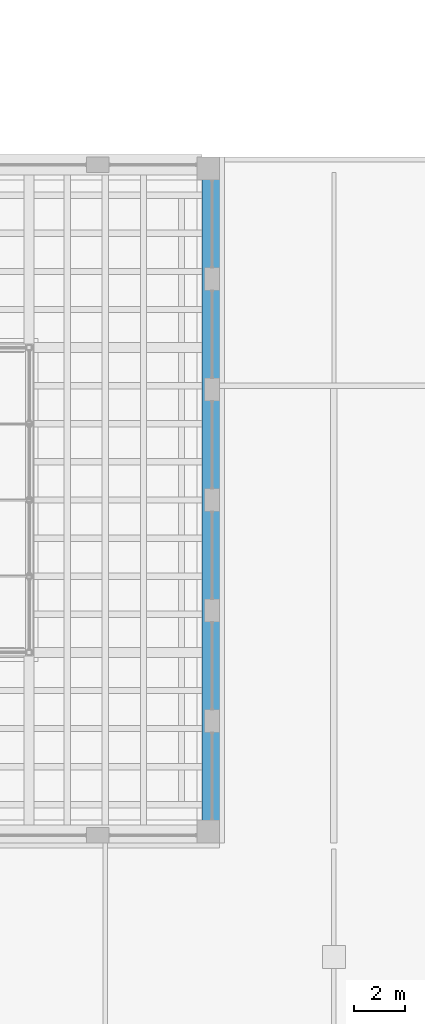
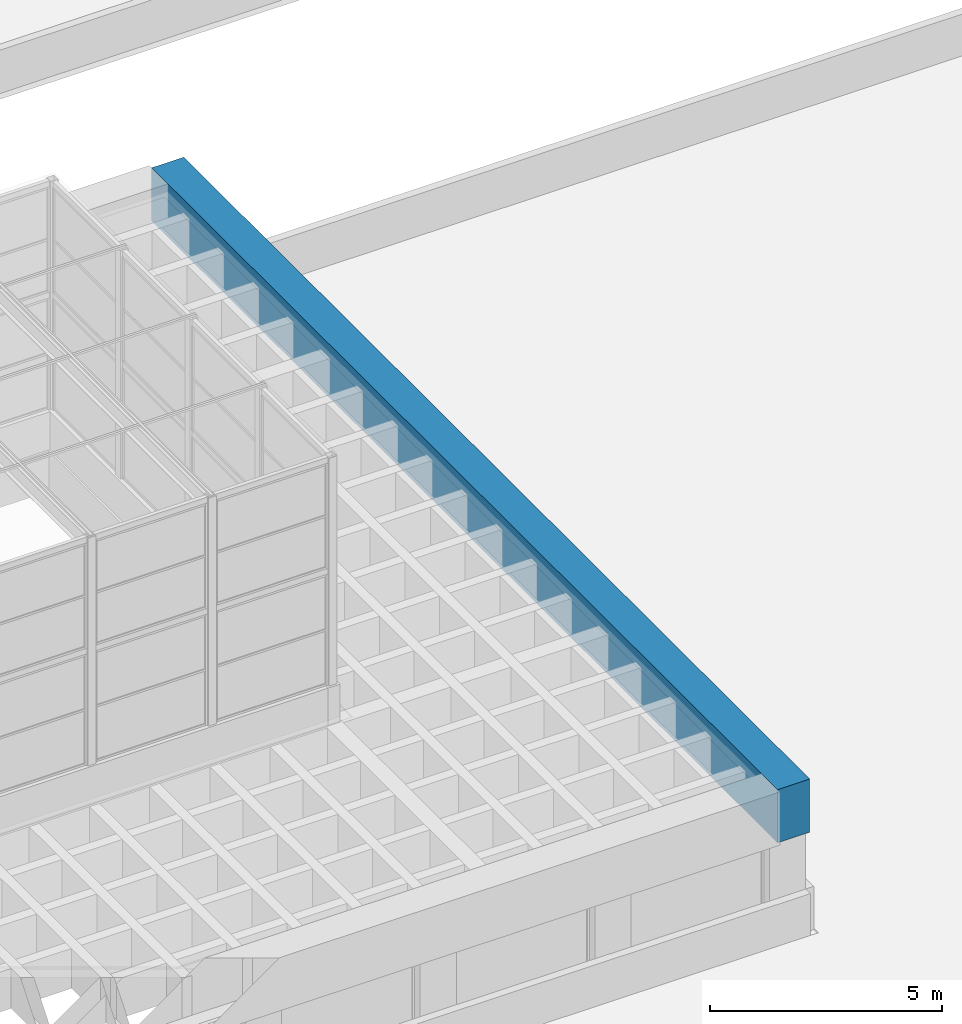
# One storey, part 32 of 50: 1 beam.
"""IFC4 building model written with IfcOpenShell, lengths in metres."""

import ifcopenshell
import ifcopenshell.guid

model = None  # the IFC model being written
_history = None  # IfcOwnerHistory: only IFC2X3 demands one
_inside = {}  # id of a spatial element -> (the spatial element, [elements in it])
_under = {}  # id of a project, library or spatial element -> (it, [spatial elements below it])
_declared = {}  # id of a project -> (the project, [libraries it declares])
_typed = {}  # id of a type object -> (the type object, [elements of that type])
_made_of = {}  # id of a material, layer set ... -> (it, [elements and type objects made of it])


def new_model(schema):
    """Start an empty IFC model of exactly this schema.

    Asked for "IFC4X3", IfcOpenShell would pick the latest addendum, in which some entities
    have other attributes; the version numbers below select the first issue.
    IFC2X3 requires an IfcOwnerHistory on every rooted entity: one is made here for all.
    """
    global model, _history
    if schema == "IFC4X3":
        model = ifcopenshell.file(schema_version=(4, 3, 0, 0))
    else:
        model = ifcopenshell.file(schema=schema)
    _inside.clear()
    _under.clear()
    _declared.clear()
    _typed.clear()
    _made_of.clear()
    _history = None
    if model.schema == "IFC2X3":
        org = make("IfcOrganization", Name="unknown")
        user = make(
            "IfcPersonAndOrganization",
            ThePerson=make("IfcPerson", FamilyName="unknown"),
            TheOrganization=org,
        )
        app = make(
            "IfcApplication",
            ApplicationDeveloper=org,
            Version="unknown",
            ApplicationFullName="unknown",
            ApplicationIdentifier="unknown",
        )
        _history = make(
            "IfcOwnerHistory",
            OwningUser=user,
            OwningApplication=app,
            ChangeAction="ADDED",
            CreationDate=0,
        )
    return model


def make(cls, **values):
    """One entity of the class cls with the attributes given. An attribute that is None is left unset."""
    return model.create_entity(
        cls, **{name: value for name, value in values.items() if value is not None}
    )


def rooted(cls, **values):
    """An entity with a GlobalId (a new one), such as an element, a storey or a relation."""
    return make(cls, GlobalId=ifcopenshell.guid.new(), OwnerHistory=_history, **values)


def si_unit(unit_type, name, prefix=None):
    """IfcSIUnit, for example si_unit("LENGTHUNIT", "METRE", prefix="MILLI")."""
    return make("IfcSIUnit", UnitType=unit_type, Prefix=prefix, Name=name)


def assignment(units):
    """IfcUnitAssignment: the units of a project."""
    return None if units is None else make("IfcUnitAssignment", Units=units)


def point(xyz):
    """IfcCartesianPoint."""
    return None if xyz is None else make("IfcCartesianPoint", Coordinates=xyz)


def direction(xyz):
    """IfcDirection."""
    return None if xyz is None else make("IfcDirection", DirectionRatios=xyz)


def frame(location, z_axis=None, x_axis=None):
    """IfcAxis2Placement3D, a coordinate frame: its origin and axes. An axis left out is left unset."""
    return make(
        "IfcAxis2Placement3D",
        Location=point(location),
        Axis=direction(z_axis),
        RefDirection=direction(x_axis),
    )


def frame_2d(location, x_axis=None):
    """IfcAxis2Placement2D, a coordinate frame in the plane: its origin and x axis."""
    return make(
        "IfcAxis2Placement2D", Location=point(location), RefDirection=direction(x_axis)
    )


def origin():
    """The frame at (0, 0, 0) with its axes left unset."""
    return frame((0.0, 0.0, 0.0))


def origin_2d():
    """The frame at (0, 0) in the plane with its x axis left unset."""
    return frame_2d((0.0, 0.0))


def place(relative_to, where):
    """IfcLocalPlacement: puts the frame where relative to a parent placement (None: the world)."""
    return make(
        "IfcLocalPlacement", PlacementRelTo=relative_to, RelativePlacement=where
    )


def context(
    kind, dimensions, precision=None, world=None, true_north=None, identifier=None
):
    """IfcGeometricRepresentationContext, for example the 3D "Model" context."""
    return make(
        "IfcGeometricRepresentationContext",
        ContextIdentifier=identifier,
        ContextType=kind,
        CoordinateSpaceDimension=dimensions,
        Precision=precision,
        WorldCoordinateSystem=world,
        TrueNorth=true_north,
    )


def subcontext(parent, identifier, kind, view, scale=None):
    """IfcGeometricRepresentationSubContext, for example "Body" below "Model"."""
    return make(
        "IfcGeometricRepresentationSubContext",
        ContextIdentifier=identifier,
        ContextType=kind,
        ParentContext=parent,
        TargetScale=scale,
        TargetView=view,
    )


def project(units=None, contexts=None):
    """IfcProject with its units and contexts."""
    return rooted(
        "IfcProject",
        Name="project",
        RepresentationContexts=contexts,
        UnitsInContext=assignment(units),
    )


def spatial(cls, under=None, at=None, **own):
    """A site, building, storey or space (cls), placed at a placement, below another one or the project."""
    s = rooted(cls, ObjectPlacement=at, **own)
    if under is not None:
        _under.setdefault(under.id(), (under, []))[1].append(s)
    return s


def profile(cls, at=None, kind="AREA", **sizes):
    """A parametric profile (cls). Its sizes go by their IFC names, for example OverallWidth=200.0."""
    return make(cls, ProfileType=kind, Position=at, **sizes)


def rectangle(**sizes):
    """IfcRectangleProfileDef."""
    return profile("IfcRectangleProfileDef", **sizes)


def extrude(swept, where, along, depth):
    """IfcExtrudedAreaSolid: the profile swept, set in the frame where, extruded along a direction by depth."""
    return make(
        "IfcExtrudedAreaSolid",
        SweptArea=swept,
        Position=where,
        ExtrudedDirection=direction(along),
        Depth=depth,
    )


def shape(context_of_items, identifier, shape_type, items):
    """IfcShapeRepresentation: the items that make up one representation, for example the "Body"."""
    return make(
        "IfcShapeRepresentation",
        ContextOfItems=context_of_items,
        RepresentationIdentifier=identifier,
        RepresentationType=shape_type,
        Items=items,
    )


def material(Name=None, Category=None):
    """IfcMaterial."""
    return make("IfcMaterial", Name=Name, Category=Category)


def material_profile(
    of_material, cross_section, Name=None, Category=None, Priority=None
):
    """IfcMaterialProfile: a cross section and its material."""
    return make(
        "IfcMaterialProfile",
        Name=Name,
        Material=of_material,
        Profile=cross_section,
        Priority=Priority,
        Category=Category,
    )


def profile_set(profiles, Name=None, composite=None):
    """IfcMaterialProfileSet."""
    return make(
        "IfcMaterialProfileSet",
        Name=Name,
        MaterialProfiles=profiles,
        CompositeProfile=composite,
    )


def made_of(thing, what):
    """Note that an element or type object is made of a material, layer set ...; save() writes the relation."""
    if what is not None:
        _made_of.setdefault(what.id(), (what, []))[1].append(thing)
    return thing


def type_object(cls, material=None, **own):
    """A type object (cls), such as IfcWallType, which elements share."""
    return made_of(rooted(cls, **own), material)


def element(
    cls,
    number,
    at=None,
    inside=None,
    cuts=None,
    type_object=None,
    material=None,
    context=None,
    identifier="Body",
    shape_type=None,
    held_by="IfcProductDefinitionShape",
    body=None,
    shapes=None,
    **own,
):
    """One element of the class cls, such as IfcWall. Its Tag is "e" and its number.

    at: its placement. inside: the storey or other place that contains it. cuts: it is an
    opening in that element (IfcRelVoidsElement). A single representation is given by context,
    identifier, shape_type and body (its items); several are given by shapes. held_by: the class
    of the entity that holds the representations. save() writes the other relations.
    """
    e = rooted(cls, Tag="e%d" % number, ObjectPlacement=at, **own)
    if body is not None:
        shapes = [shape(context, identifier, shape_type, body)]
    if shapes is not None:
        e.Representation = make(held_by, Representations=shapes)
    if inside is not None:
        _inside.setdefault(inside.id(), (inside, []))[1].append(e)
    if cuts is not None:
        rooted(
            "IfcRelVoidsElement", RelatingBuildingElement=cuts, RelatedOpeningElement=e
        )
    if type_object is not None:
        _typed.setdefault(type_object.id(), (type_object, []))[1].append(e)
    return made_of(e, material)


def aggregate(whole, parts):
    """IfcRelAggregates: a whole, such as a stair, and the parts it consists of."""
    return rooted("IfcRelAggregates", RelatingObject=whole, RelatedObjects=parts)


def save(model, path):
    """Write the relations noted so far, then the file.

    IfcRelAggregates (storeys below a building ...), IfcRelContainedInSpatialStructure (elements
    in a storey), IfcRelDefinesByType, IfcRelAssociatesMaterial and IfcRelDeclares: one each for
    every whole, place, type object, material and project.
    """
    for whole, parts in _under.values():
        aggregate(whole, parts)
    for where, things in _inside.values():
        rooted(
            "IfcRelContainedInSpatialStructure",
            RelatedElements=things,
            RelatingStructure=where,
        )
    for kind, things in _typed.values():
        rooted("IfcRelDefinesByType", RelatedObjects=things, RelatingType=kind)
    for what, things in _made_of.values():
        rooted("IfcRelAssociatesMaterial", RelatedObjects=things, RelatingMaterial=what)
    for by, libraries in _declared.values():
        rooted("IfcRelDeclares", RelatingContext=by, RelatedDefinitions=libraries)
    model.write(path)


model = new_model("IFC4")

# Units and contexts
model_context = context("Model", 3, precision=1e-05, world=origin(), true_north=direction((0.0, 1.0)))
body_context = subcontext(model_context, "Body", "Model", "MODEL_VIEW")
ifc_project = project(units=[si_unit("LENGTHUNIT", "METRE"), si_unit("AREAUNIT", "SQUARE_METRE"), si_unit("VOLUMEUNIT", "CUBIC_METRE"), si_unit("PLANEANGLEUNIT", "RADIAN"), si_unit("MASSUNIT", "GRAM", prefix="KILO")], contexts=[model_context])

# Site, building, storey
site_placement = place(None, origin())
site = spatial("IfcSite", under=ifc_project, at=site_placement, CompositionType="ELEMENT")
building_placement = place(site_placement, origin())
building = spatial("IfcBuilding", under=site, at=building_placement, Name="Corbel Yard City Hall", CompositionType="ELEMENT")
storey_placement = place(building_placement, frame((0.0, 0.0, 15.0)))
storey = spatial("IfcBuildingStorey", under=building, at=storey_placement, Name="L03", CompositionType="ELEMENT", Elevation=15.0)

# Beam
ifc_material = material(Name="Concrete N50 (50 MPa)", Category="concrete")
ifc_material_profile = material_profile(ifc_material, rectangle(XDim=0.800048828125, YDim=1.39990234375, at=origin_2d()), Name="800x1400")
ifc_profile_set = profile_set([ifc_material_profile], Name="Concrete N50 (50 MPa)")
beam_type = type_object("IfcBeamType", Name="Chamber roof edge beam RC 800X1400", PredefinedType="BEAM", material=ifc_profile_set)
beam_placement = place(storey_placement, frame((143.699951171875, 54.0, 3.300048828125), z_axis=(0.0, 1.0, 0.0), x_axis=(-1.0, 0.0, 0.0)))
element("IfcBeam", 1, at=beam_placement, inside=storey, type_object=beam_type, Name="Chamber roof edge beam RC 800X1400 EB14 east", PredefinedType="BEAM", context=body_context, shape_type="SweptSolid", body=[
    extrude(rectangle(XDim=0.800048828125, YDim=1.39990234375, at=origin_2d()), origin(), (0.0, 0.0, 1.0), 27.0),
])

save(model, "model.ifc")
